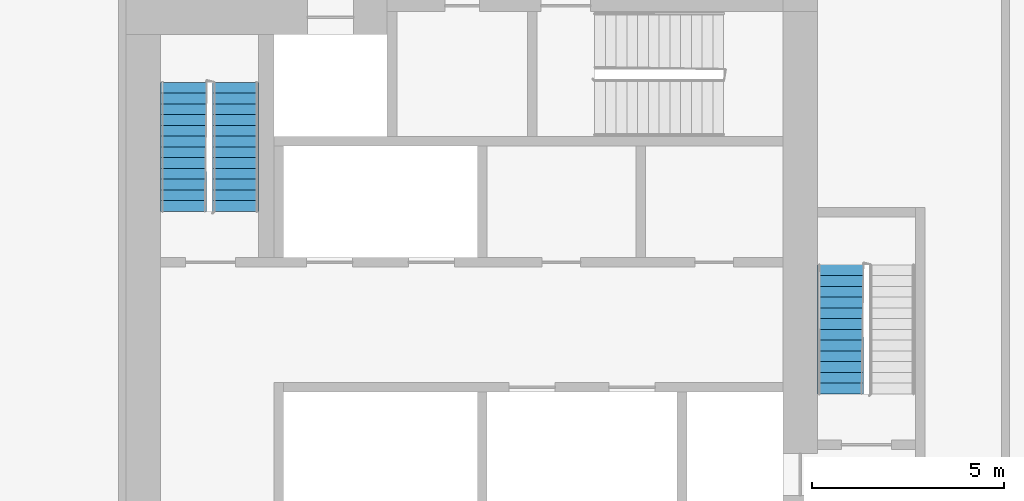
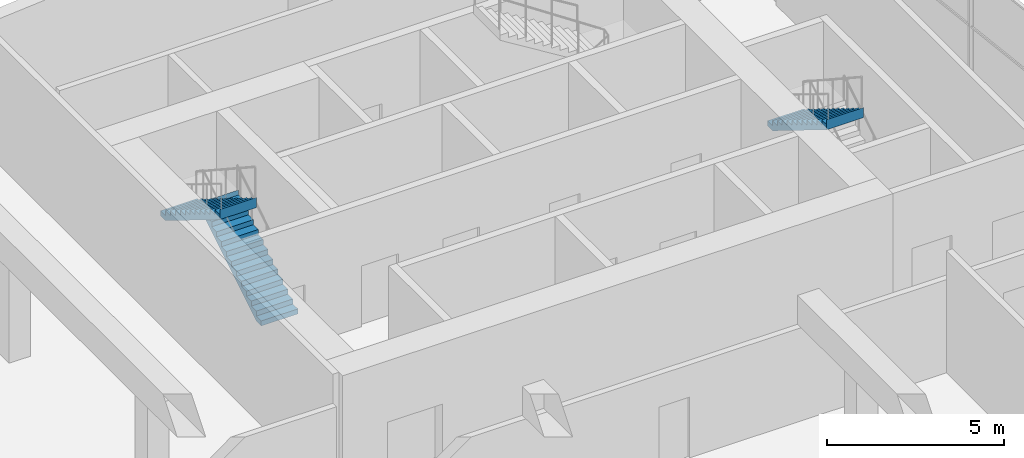
# One storey, part 19 of 21: 3 stair flights, 2 elements without a shape of their own.
"""IFC4 building model written with IfcOpenShell, lengths in metres."""

from ifc_helpers import new_model, si_unit, direction, frame, origin, place, context, subcontext, project, spatial, faceted_brep, material, type_object, element, aggregate, save


model = new_model("IFC4")

# Units and contexts
model_context = context("Model", 3, precision=1e-05, world=origin(), true_north=direction((0.0, 1.0)))
body_context = subcontext(model_context, "Body", "Model", "MODEL_VIEW")
ifc_project = project(units=[si_unit("LENGTHUNIT", "METRE"), si_unit("AREAUNIT", "SQUARE_METRE"), si_unit("VOLUMEUNIT", "CUBIC_METRE"), si_unit("PLANEANGLEUNIT", "RADIAN"), si_unit("MASSUNIT", "GRAM", prefix="KILO")], contexts=[model_context])

# Site, building, storey
site_placement = place(None, origin())
site = spatial("IfcSite", under=ifc_project, at=site_placement, CompositionType="ELEMENT")
building_placement = place(site_placement, origin())
building = spatial("IfcBuilding", under=site, at=building_placement, Name="Kajstack Hotel Tower", CompositionType="ELEMENT")
storey_placement = place(building_placement, frame((0.0, 0.0, 162.39990234375)))
storey = spatial("IfcBuildingStorey", under=building, at=storey_placement, Name="L37", CompositionType="ELEMENT", Elevation=162.39990234375)

# Stair, stair flight
ifc_material = material(Name="Concrete C40/50", Category="concrete")
stair_type = type_object("IfcStairType", Name="Exit stair 1200", PredefinedType="HALF_TURN_STAIR", material=ifc_material)
stair_1_placement = place(storey_placement, origin())
stair_1 = element("IfcStair", 1, at=stair_1_placement, inside=storey, type_object=stair_type, Name="L37 stair E1", PredefinedType="HALF_TURN_STAIR")
stair_flight_type = type_object("IfcStairFlightType", Name="Exit stair flight 1200", PredefinedType="STRAIGHT", material=ifc_material)
stair_flight_1_placement = place(storey_placement, frame((32.10009765625, 8.610107421875, 2.25), z_axis=(0.0, 0.0, 1.0), x_axis=(0.0, -1.0, 0.0)))
stair_flight_1 = element("IfcStairFlight", 2, at=stair_flight_1_placement, type_object=stair_flight_type, Name="E1 flight 2", NumberOfRisers=13, NumberOfTreads=12, PredefinedType="STRAIGHT", RiserHeight=0.173076923, TreadLength=0.28, context=body_context, shape_type="Brep", body=[
    faceted_brep([(0.28564453125, -0.60009765625, 0.0), (3.360595703125, -0.60009765625, 1.900634765625), (3.360595703125, -0.60009765625, 2.25), (3.360107421875, -0.60009765625, 2.25), (3.360107421875, -0.60009765625, 2.076904296875), (3.080078125, -0.60009765625, 2.076904296875), (3.080078125, -0.60009765625, 1.90380859375), (2.800048828125, -0.60009765625, 1.90380859375), (2.800048828125, -0.60009765625, 1.730712890625), (2.52001953125, -0.60009765625, 1.730712890625), (2.52001953125, -0.60009765625, 1.5576171875), (2.239990234375, -0.60009765625, 1.5576171875), (2.239990234375, -0.60009765625, 1.384521484375), (1.9599609375, -0.60009765625, 1.384521484375), (1.9599609375, -0.60009765625, 1.21142578125), (1.679931640625, -0.60009765625, 1.21142578125), (1.679931640625, -0.60009765625, 1.03857421875), (1.39990234375, -0.60009765625, 1.03857421875), (1.39990234375, -0.60009765625, 0.865478515625), (1.1201171875, -0.60009765625, 0.865478515625), (1.1201171875, -0.60009765625, 0.6923828125), (0.840087890625, -0.60009765625, 0.6923828125), (0.840087890625, -0.60009765625, 0.519287109375), (0.56005859375, -0.60009765625, 0.519287109375), (0.56005859375, -0.60009765625, 0.34619140625), (0.280029296875, -0.60009765625, 0.34619140625), (0.280029296875, -0.60009765625, 0.173095703125), (-0.00048828125, -0.60009765625, 0.173095703125), (-0.00048828125, -0.60009765625, 0.0), (-0.00048828125, 0.60009765625, 0.0), (-0.00048828125, 0.60009765625, 0.173095703125), (0.280029296875, 0.60009765625, 0.173095703125), (0.280029296875, 0.60009765625, 0.34619140625), (0.56005859375, 0.60009765625, 0.34619140625), (0.56005859375, 0.60009765625, 0.519287109375), (0.840087890625, 0.60009765625, 0.519287109375), (0.840087890625, 0.60009765625, 0.6923828125), (1.1201171875, 0.60009765625, 0.6923828125), (1.1201171875, 0.60009765625, 0.865478515625), (1.39990234375, 0.60009765625, 0.865478515625), (1.39990234375, 0.60009765625, 1.03857421875), (1.679931640625, 0.60009765625, 1.03857421875), (1.679931640625, 0.60009765625, 1.21142578125), (1.9599609375, 0.60009765625, 1.21142578125), (1.9599609375, 0.60009765625, 1.384521484375), (2.239990234375, 0.60009765625, 1.384521484375), (2.239990234375, 0.60009765625, 1.5576171875), (2.52001953125, 0.60009765625, 1.5576171875), (2.52001953125, 0.60009765625, 1.730712890625), (2.800048828125, 0.60009765625, 1.730712890625), (2.800048828125, 0.60009765625, 1.90380859375), (3.080078125, 0.60009765625, 1.90380859375), (3.080078125, 0.60009765625, 2.076904296875), (3.360107421875, 0.60009765625, 2.076904296875), (3.360107421875, 0.60009765625, 2.25), (3.360595703125, 0.60009765625, 2.25), (3.360595703125, 0.60009765625, 1.900634765625), (0.28564453125, 0.60009765625, 0.0), (-0.00048828125, -0.300048828125, 0.173095703125), (-0.00048828125, 0.0, 0.173095703125), (-0.00048828125, 0.300048828125, 0.173095703125), (-0.00048828125, 0.300048828125, 0.0), (-0.00048828125, 0.0, 0.0), (-0.00048828125, -0.300048828125, 0.0), (0.280029296875, -0.300048828125, 0.173095703125), (0.280029296875, 0.0, 0.173095703125), (0.280029296875, 0.300048828125, 0.173095703125), (0.280029296875, -0.300048828125, 0.34619140625), (0.280029296875, 0.0, 0.34619140625), (0.280029296875, 0.300048828125, 0.34619140625), (0.56005859375, -0.300048828125, 0.34619140625), (0.56005859375, 0.0, 0.34619140625), (0.56005859375, 0.300048828125, 0.34619140625), (0.56005859375, -0.300048828125, 0.519287109375), (0.56005859375, 0.0, 0.519287109375), (0.56005859375, 0.300048828125, 0.519287109375), (0.840087890625, -0.300048828125, 0.519287109375), (0.840087890625, 0.0, 0.519287109375), (0.840087890625, 0.300048828125, 0.519287109375), (0.840087890625, -0.300048828125, 0.6923828125), (0.840087890625, 0.0, 0.6923828125), (0.840087890625, 0.300048828125, 0.6923828125), (1.1201171875, -0.300048828125, 0.6923828125), (1.1201171875, 0.0, 0.6923828125), (1.1201171875, 0.300048828125, 0.6923828125), (1.1201171875, -0.300048828125, 0.865478515625), (1.1201171875, 0.0, 0.865478515625), (1.1201171875, 0.300048828125, 0.865478515625), (1.39990234375, -0.300048828125, 0.865478515625), (1.39990234375, 0.0, 0.865478515625), (1.39990234375, 0.300048828125, 0.865478515625), (1.39990234375, -0.300048828125, 1.03857421875), (1.39990234375, 0.0, 1.03857421875), (1.39990234375, 0.300048828125, 1.03857421875), (1.679931640625, -0.300048828125, 1.03857421875), (1.679931640625, 0.0, 1.03857421875), (1.679931640625, 0.300048828125, 1.03857421875), (1.679931640625, -0.300048828125, 1.21142578125), (1.679931640625, 0.0, 1.21142578125), (1.679931640625, 0.300048828125, 1.21142578125), (1.9599609375, -0.300048828125, 1.21142578125), (1.9599609375, 0.0, 1.21142578125), (1.9599609375, 0.300048828125, 1.21142578125), (1.9599609375, -0.300048828125, 1.384521484375), (1.9599609375, 0.0, 1.384521484375), (1.9599609375, 0.300048828125, 1.384521484375), (2.239990234375, -0.300048828125, 1.384521484375), (2.239990234375, 0.0, 1.384521484375), (2.239990234375, 0.300048828125, 1.384521484375), (2.239990234375, -0.300048828125, 1.5576171875), (2.239990234375, 0.0, 1.5576171875), (2.239990234375, 0.300048828125, 1.5576171875), (2.52001953125, -0.300048828125, 1.5576171875), (2.52001953125, 0.0, 1.5576171875), (2.52001953125, 0.300048828125, 1.5576171875), (2.52001953125, -0.300048828125, 1.730712890625), (2.52001953125, 0.0, 1.730712890625), (2.52001953125, 0.300048828125, 1.730712890625), (2.800048828125, -0.300048828125, 1.730712890625), (2.800048828125, 0.0, 1.730712890625), (2.800048828125, 0.300048828125, 1.730712890625), (2.800048828125, -0.300048828125, 1.90380859375), (2.800048828125, 0.0, 1.90380859375), (2.800048828125, 0.300048828125, 1.90380859375), (3.080078125, -0.300048828125, 1.90380859375), (3.080078125, 0.0, 1.90380859375), (3.080078125, 0.300048828125, 1.90380859375), (3.080078125, -0.300048828125, 2.076904296875), (3.080078125, 0.0, 2.076904296875), (3.080078125, 0.300048828125, 2.076904296875), (3.360107421875, -0.300048828125, 2.076904296875), (3.360107421875, 0.0, 2.076904296875), (3.360107421875, 0.300048828125, 2.076904296875), (3.360107421875, -0.300048828125, 2.25), (3.360107421875, 0.0, 2.25), (3.360107421875, 0.300048828125, 2.25), (3.360595703125, -0.300048828125, 2.25), (3.360595703125, 0.0, 2.25), (3.360595703125, 0.300048828125, 2.25), (3.360595703125, -0.300048828125, 1.900634765625), (3.360595703125, 0.0, 1.900634765625), (3.360595703125, 0.300048828125, 1.900634765625), (0.28564453125, -0.300048828125, 0.0), (0.28564453125, 0.0, 0.0), (0.28564453125, 0.300048828125, 0.0)], [[[0, 1, 2, 3, 4, 5, 6, 7, 8, 9, 10, 11, 12, 13, 14, 15, 16, 17, 18, 19, 20, 21, 22, 23, 24, 25, 26, 27, 28]], [[29, 30, 31, 32, 33, 34, 35, 36, 37, 38, 39, 40, 41, 42, 43, 44, 45, 46, 47, 48, 49, 50, 51, 52, 53, 54, 55, 56, 57]], [[27, 58, 59, 60, 30, 29, 61, 62, 63, 28]], [[26, 64, 65, 66, 31, 30, 60, 59, 58, 27]], [[25, 67, 68, 69, 32, 31, 66, 65, 64, 26]], [[24, 70, 71, 72, 33, 32, 69, 68, 67, 25]], [[23, 73, 74, 75, 34, 33, 72, 71, 70, 24]], [[22, 76, 77, 78, 35, 34, 75, 74, 73, 23]], [[21, 79, 80, 81, 36, 35, 78, 77, 76, 22]], [[20, 82, 83, 84, 37, 36, 81, 80, 79, 21]], [[19, 85, 86, 87, 38, 37, 84, 83, 82, 20]], [[18, 88, 89, 90, 39, 38, 87, 86, 85, 19]], [[17, 91, 92, 93, 40, 39, 90, 89, 88, 18]], [[16, 94, 95, 96, 41, 40, 93, 92, 91, 17]], [[15, 97, 98, 99, 42, 41, 96, 95, 94, 16]], [[14, 100, 101, 102, 43, 42, 99, 98, 97, 15]], [[13, 103, 104, 105, 44, 43, 102, 101, 100, 14]], [[12, 106, 107, 108, 45, 44, 105, 104, 103, 13]], [[11, 109, 110, 111, 46, 45, 108, 107, 106, 12]], [[10, 112, 113, 114, 47, 46, 111, 110, 109, 11]], [[9, 115, 116, 117, 48, 47, 114, 113, 112, 10]], [[8, 118, 119, 120, 49, 48, 117, 116, 115, 9]], [[7, 121, 122, 123, 50, 49, 120, 119, 118, 8]], [[6, 124, 125, 126, 51, 50, 123, 122, 121, 7]], [[5, 127, 128, 129, 52, 51, 126, 125, 124, 6]], [[4, 130, 131, 132, 53, 52, 129, 128, 127, 5]], [[3, 133, 134, 135, 54, 53, 132, 131, 130, 4]], [[2, 136, 137, 138, 55, 54, 135, 134, 133, 3]], [[1, 139, 140, 141, 56, 55, 138, 137, 136, 2]], [[0, 142, 143, 144, 57, 56, 141, 140, 139, 1]], [[28, 63, 62, 61, 29, 57, 144, 143, 142, 0]]]),
])
aggregate(stair_1, [stair_flight_1])

# Stair, stair flights
stair_2_placement = place(storey_placement, origin())
stair_2 = element("IfcStair", 3, at=stair_2_placement, inside=storey, type_object=stair_type, Name="L37 stair E2", PredefinedType="HALF_TURN_STAIR")
stair_flight_2_placement = place(storey_placement, frame((16.35009765625, 10.0, 0.0), z_axis=(0.0, 0.0, 1.0), x_axis=(0.0, 1.0, 0.0)))
stair_flight_2 = element("IfcStairFlight", 4, at=stair_flight_2_placement, type_object=stair_flight_type, Name="E2 flight 1", NumberOfRisers=13, NumberOfTreads=12, PredefinedType="STRAIGHT", RiserHeight=0.173076923, TreadLength=0.28, context=body_context, shape_type="Brep", body=[
    faceted_brep([(0.28564453125, -0.60009765625, 0.0), (3.360595703125, -0.60009765625, 1.900634765625), (3.360595703125, -0.60009765625, 2.25), (3.360107421875, -0.60009765625, 2.25), (3.360107421875, -0.60009765625, 2.076904296875), (3.080078125, -0.60009765625, 2.076904296875), (3.080078125, -0.60009765625, 1.90380859375), (2.800048828125, -0.60009765625, 1.90380859375), (2.800048828125, -0.60009765625, 1.730712890625), (2.52001953125, -0.60009765625, 1.730712890625), (2.52001953125, -0.60009765625, 1.5576171875), (2.239990234375, -0.60009765625, 1.5576171875), (2.239990234375, -0.60009765625, 1.384521484375), (1.9599609375, -0.60009765625, 1.384521484375), (1.9599609375, -0.60009765625, 1.21142578125), (1.679931640625, -0.60009765625, 1.21142578125), (1.679931640625, -0.60009765625, 1.03857421875), (1.39990234375, -0.60009765625, 1.03857421875), (1.39990234375, -0.60009765625, 0.865478515625), (1.1201171875, -0.60009765625, 0.865478515625), (1.1201171875, -0.60009765625, 0.6923828125), (0.840087890625, -0.60009765625, 0.6923828125), (0.840087890625, -0.60009765625, 0.519287109375), (0.56005859375, -0.60009765625, 0.519287109375), (0.56005859375, -0.60009765625, 0.34619140625), (0.280029296875, -0.60009765625, 0.34619140625), (0.280029296875, -0.60009765625, 0.173095703125), (-0.00048828125, -0.60009765625, 0.173095703125), (-0.00048828125, -0.60009765625, 0.0), (-0.00048828125, 0.60009765625, 0.0), (-0.00048828125, 0.60009765625, 0.173095703125), (0.280029296875, 0.60009765625, 0.173095703125), (0.280029296875, 0.60009765625, 0.34619140625), (0.56005859375, 0.60009765625, 0.34619140625), (0.56005859375, 0.60009765625, 0.519287109375), (0.840087890625, 0.60009765625, 0.519287109375), (0.840087890625, 0.60009765625, 0.6923828125), (1.1201171875, 0.60009765625, 0.6923828125), (1.1201171875, 0.60009765625, 0.865478515625), (1.39990234375, 0.60009765625, 0.865478515625), (1.39990234375, 0.60009765625, 1.03857421875), (1.679931640625, 0.60009765625, 1.03857421875), (1.679931640625, 0.60009765625, 1.21142578125), (1.9599609375, 0.60009765625, 1.21142578125), (1.9599609375, 0.60009765625, 1.384521484375), (2.239990234375, 0.60009765625, 1.384521484375), (2.239990234375, 0.60009765625, 1.5576171875), (2.52001953125, 0.60009765625, 1.5576171875), (2.52001953125, 0.60009765625, 1.730712890625), (2.800048828125, 0.60009765625, 1.730712890625), (2.800048828125, 0.60009765625, 1.90380859375), (3.080078125, 0.60009765625, 1.90380859375), (3.080078125, 0.60009765625, 2.076904296875), (3.360107421875, 0.60009765625, 2.076904296875), (3.360107421875, 0.60009765625, 2.25), (3.360595703125, 0.60009765625, 2.25), (3.360595703125, 0.60009765625, 1.900634765625), (0.28564453125, 0.60009765625, 0.0), (-0.00048828125, -0.300048828125, 0.173095703125), (-0.00048828125, 0.0, 0.173095703125), (-0.00048828125, 0.300048828125, 0.173095703125), (-0.00048828125, 0.300048828125, 0.0), (-0.00048828125, 0.0, 0.0), (-0.00048828125, -0.300048828125, 0.0), (0.280029296875, -0.300048828125, 0.173095703125), (0.280029296875, 0.0, 0.173095703125), (0.280029296875, 0.300048828125, 0.173095703125), (0.280029296875, -0.300048828125, 0.34619140625), (0.280029296875, 0.0, 0.34619140625), (0.280029296875, 0.300048828125, 0.34619140625), (0.56005859375, -0.300048828125, 0.34619140625), (0.56005859375, 0.0, 0.34619140625), (0.56005859375, 0.300048828125, 0.34619140625), (0.56005859375, -0.300048828125, 0.519287109375), (0.56005859375, 0.0, 0.519287109375), (0.56005859375, 0.300048828125, 0.519287109375), (0.840087890625, -0.300048828125, 0.519287109375), (0.840087890625, 0.0, 0.519287109375), (0.840087890625, 0.300048828125, 0.519287109375), (0.840087890625, -0.300048828125, 0.6923828125), (0.840087890625, 0.0, 0.6923828125), (0.840087890625, 0.300048828125, 0.6923828125), (1.1201171875, -0.300048828125, 0.6923828125), (1.1201171875, 0.0, 0.6923828125), (1.1201171875, 0.300048828125, 0.6923828125), (1.1201171875, -0.300048828125, 0.865478515625), (1.1201171875, 0.0, 0.865478515625), (1.1201171875, 0.300048828125, 0.865478515625), (1.39990234375, -0.300048828125, 0.865478515625), (1.39990234375, 0.0, 0.865478515625), (1.39990234375, 0.300048828125, 0.865478515625), (1.39990234375, -0.300048828125, 1.03857421875), (1.39990234375, 0.0, 1.03857421875), (1.39990234375, 0.300048828125, 1.03857421875), (1.679931640625, -0.300048828125, 1.03857421875), (1.679931640625, 0.0, 1.03857421875), (1.679931640625, 0.300048828125, 1.03857421875), (1.679931640625, -0.300048828125, 1.21142578125), (1.679931640625, 0.0, 1.21142578125), (1.679931640625, 0.300048828125, 1.21142578125), (1.9599609375, -0.300048828125, 1.21142578125), (1.9599609375, 0.0, 1.21142578125), (1.9599609375, 0.300048828125, 1.21142578125), (1.9599609375, -0.300048828125, 1.384521484375), (1.9599609375, 0.0, 1.384521484375), (1.9599609375, 0.300048828125, 1.384521484375), (2.239990234375, -0.300048828125, 1.384521484375), (2.239990234375, 0.0, 1.384521484375), (2.239990234375, 0.300048828125, 1.384521484375), (2.239990234375, -0.300048828125, 1.5576171875), (2.239990234375, 0.0, 1.5576171875), (2.239990234375, 0.300048828125, 1.5576171875), (2.52001953125, -0.300048828125, 1.5576171875), (2.52001953125, 0.0, 1.5576171875), (2.52001953125, 0.300048828125, 1.5576171875), (2.52001953125, -0.300048828125, 1.730712890625), (2.52001953125, 0.0, 1.730712890625), (2.52001953125, 0.300048828125, 1.730712890625), (2.800048828125, -0.300048828125, 1.730712890625), (2.800048828125, 0.0, 1.730712890625), (2.800048828125, 0.300048828125, 1.730712890625), (2.800048828125, -0.300048828125, 1.90380859375), (2.800048828125, 0.0, 1.90380859375), (2.800048828125, 0.300048828125, 1.90380859375), (3.080078125, -0.300048828125, 1.90380859375), (3.080078125, 0.0, 1.90380859375), (3.080078125, 0.300048828125, 1.90380859375), (3.080078125, -0.300048828125, 2.076904296875), (3.080078125, 0.0, 2.076904296875), (3.080078125, 0.300048828125, 2.076904296875), (3.360107421875, -0.300048828125, 2.076904296875), (3.360107421875, 0.0, 2.076904296875), (3.360107421875, 0.300048828125, 2.076904296875), (3.360107421875, -0.300048828125, 2.25), (3.360107421875, 0.0, 2.25), (3.360107421875, 0.300048828125, 2.25), (3.360595703125, -0.300048828125, 2.25), (3.360595703125, 0.0, 2.25), (3.360595703125, 0.300048828125, 2.25), (3.360595703125, -0.300048828125, 1.900634765625), (3.360595703125, 0.0, 1.900634765625), (3.360595703125, 0.300048828125, 1.900634765625), (0.28564453125, -0.300048828125, 0.0), (0.28564453125, 0.0, 0.0), (0.28564453125, 0.300048828125, 0.0)], [[[0, 1, 2, 3, 4, 5, 6, 7, 8, 9, 10, 11, 12, 13, 14, 15, 16, 17, 18, 19, 20, 21, 22, 23, 24, 25, 26, 27, 28]], [[29, 30, 31, 32, 33, 34, 35, 36, 37, 38, 39, 40, 41, 42, 43, 44, 45, 46, 47, 48, 49, 50, 51, 52, 53, 54, 55, 56, 57]], [[27, 58, 59, 60, 30, 29, 61, 62, 63, 28]], [[26, 64, 65, 66, 31, 30, 60, 59, 58, 27]], [[25, 67, 68, 69, 32, 31, 66, 65, 64, 26]], [[24, 70, 71, 72, 33, 32, 69, 68, 67, 25]], [[23, 73, 74, 75, 34, 33, 72, 71, 70, 24]], [[22, 76, 77, 78, 35, 34, 75, 74, 73, 23]], [[21, 79, 80, 81, 36, 35, 78, 77, 76, 22]], [[20, 82, 83, 84, 37, 36, 81, 80, 79, 21]], [[19, 85, 86, 87, 38, 37, 84, 83, 82, 20]], [[18, 88, 89, 90, 39, 38, 87, 86, 85, 19]], [[17, 91, 92, 93, 40, 39, 90, 89, 88, 18]], [[16, 94, 95, 96, 41, 40, 93, 92, 91, 17]], [[15, 97, 98, 99, 42, 41, 96, 95, 94, 16]], [[14, 100, 101, 102, 43, 42, 99, 98, 97, 15]], [[13, 103, 104, 105, 44, 43, 102, 101, 100, 14]], [[12, 106, 107, 108, 45, 44, 105, 104, 103, 13]], [[11, 109, 110, 111, 46, 45, 108, 107, 106, 12]], [[10, 112, 113, 114, 47, 46, 111, 110, 109, 11]], [[9, 115, 116, 117, 48, 47, 114, 113, 112, 10]], [[8, 118, 119, 120, 49, 48, 117, 116, 115, 9]], [[7, 121, 122, 123, 50, 49, 120, 119, 118, 8]], [[6, 124, 125, 126, 51, 50, 123, 122, 121, 7]], [[5, 127, 128, 129, 52, 51, 126, 125, 124, 6]], [[4, 130, 131, 132, 53, 52, 129, 128, 127, 5]], [[3, 133, 134, 135, 54, 53, 132, 131, 130, 4]], [[2, 136, 137, 138, 55, 54, 135, 134, 133, 3]], [[1, 139, 140, 141, 56, 55, 138, 137, 136, 2]], [[0, 142, 143, 144, 57, 56, 141, 140, 139, 1]], [[28, 63, 62, 61, 29, 57, 144, 143, 142, 0]]]),
])
stair_flight_3_placement = place(storey_placement, frame((15.0, 13.360107421875, 2.25), z_axis=(0.0, 0.0, 1.0), x_axis=(0.0, -1.0, 0.0)))
stair_flight_3 = element("IfcStairFlight", 5, at=stair_flight_3_placement, type_object=stair_flight_type, Name="E2 flight 2", NumberOfRisers=13, NumberOfTreads=12, PredefinedType="STRAIGHT", RiserHeight=0.173076923, TreadLength=0.28, context=body_context, shape_type="Brep", body=[
    faceted_brep([(0.28564453125, -0.60009765625, 0.0), (3.360595703125, -0.60009765625, 1.900634765625), (3.360595703125, -0.60009765625, 2.25), (3.360107421875, -0.60009765625, 2.25), (3.360107421875, -0.60009765625, 2.076904296875), (3.080078125, -0.60009765625, 2.076904296875), (3.080078125, -0.60009765625, 1.90380859375), (2.800048828125, -0.60009765625, 1.90380859375), (2.800048828125, -0.60009765625, 1.730712890625), (2.52001953125, -0.60009765625, 1.730712890625), (2.52001953125, -0.60009765625, 1.5576171875), (2.239990234375, -0.60009765625, 1.5576171875), (2.239990234375, -0.60009765625, 1.384521484375), (1.9599609375, -0.60009765625, 1.384521484375), (1.9599609375, -0.60009765625, 1.21142578125), (1.679931640625, -0.60009765625, 1.21142578125), (1.679931640625, -0.60009765625, 1.03857421875), (1.39990234375, -0.60009765625, 1.03857421875), (1.39990234375, -0.60009765625, 0.865478515625), (1.1201171875, -0.60009765625, 0.865478515625), (1.1201171875, -0.60009765625, 0.6923828125), (0.840087890625, -0.60009765625, 0.6923828125), (0.840087890625, -0.60009765625, 0.519287109375), (0.56005859375, -0.60009765625, 0.519287109375), (0.56005859375, -0.60009765625, 0.34619140625), (0.280029296875, -0.60009765625, 0.34619140625), (0.280029296875, -0.60009765625, 0.173095703125), (-0.00048828125, -0.60009765625, 0.173095703125), (-0.00048828125, -0.60009765625, 0.0), (-0.00048828125, 0.60009765625, 0.0), (-0.00048828125, 0.60009765625, 0.173095703125), (0.280029296875, 0.60009765625, 0.173095703125), (0.280029296875, 0.60009765625, 0.34619140625), (0.56005859375, 0.60009765625, 0.34619140625), (0.56005859375, 0.60009765625, 0.519287109375), (0.840087890625, 0.60009765625, 0.519287109375), (0.840087890625, 0.60009765625, 0.6923828125), (1.1201171875, 0.60009765625, 0.6923828125), (1.1201171875, 0.60009765625, 0.865478515625), (1.39990234375, 0.60009765625, 0.865478515625), (1.39990234375, 0.60009765625, 1.03857421875), (1.679931640625, 0.60009765625, 1.03857421875), (1.679931640625, 0.60009765625, 1.21142578125), (1.9599609375, 0.60009765625, 1.21142578125), (1.9599609375, 0.60009765625, 1.384521484375), (2.239990234375, 0.60009765625, 1.384521484375), (2.239990234375, 0.60009765625, 1.5576171875), (2.52001953125, 0.60009765625, 1.5576171875), (2.52001953125, 0.60009765625, 1.730712890625), (2.800048828125, 0.60009765625, 1.730712890625), (2.800048828125, 0.60009765625, 1.90380859375), (3.080078125, 0.60009765625, 1.90380859375), (3.080078125, 0.60009765625, 2.076904296875), (3.360107421875, 0.60009765625, 2.076904296875), (3.360107421875, 0.60009765625, 2.25), (3.360595703125, 0.60009765625, 2.25), (3.360595703125, 0.60009765625, 1.900634765625), (0.28564453125, 0.60009765625, 0.0), (-0.00048828125, -0.300048828125, 0.173095703125), (-0.00048828125, 0.0, 0.173095703125), (-0.00048828125, 0.300048828125, 0.173095703125), (-0.00048828125, 0.300048828125, 0.0), (-0.00048828125, 0.0, 0.0), (-0.00048828125, -0.300048828125, 0.0), (0.280029296875, -0.300048828125, 0.173095703125), (0.280029296875, 0.0, 0.173095703125), (0.280029296875, 0.300048828125, 0.173095703125), (0.280029296875, -0.300048828125, 0.34619140625), (0.280029296875, 0.0, 0.34619140625), (0.280029296875, 0.300048828125, 0.34619140625), (0.56005859375, -0.300048828125, 0.34619140625), (0.56005859375, 0.0, 0.34619140625), (0.56005859375, 0.300048828125, 0.34619140625), (0.56005859375, -0.300048828125, 0.519287109375), (0.56005859375, 0.0, 0.519287109375), (0.56005859375, 0.300048828125, 0.519287109375), (0.840087890625, -0.300048828125, 0.519287109375), (0.840087890625, 0.0, 0.519287109375), (0.840087890625, 0.300048828125, 0.519287109375), (0.840087890625, -0.300048828125, 0.6923828125), (0.840087890625, 0.0, 0.6923828125), (0.840087890625, 0.300048828125, 0.6923828125), (1.1201171875, -0.300048828125, 0.6923828125), (1.1201171875, 0.0, 0.6923828125), (1.1201171875, 0.300048828125, 0.6923828125), (1.1201171875, -0.300048828125, 0.865478515625), (1.1201171875, 0.0, 0.865478515625), (1.1201171875, 0.300048828125, 0.865478515625), (1.39990234375, -0.300048828125, 0.865478515625), (1.39990234375, 0.0, 0.865478515625), (1.39990234375, 0.300048828125, 0.865478515625), (1.39990234375, -0.300048828125, 1.03857421875), (1.39990234375, 0.0, 1.03857421875), (1.39990234375, 0.300048828125, 1.03857421875), (1.679931640625, -0.300048828125, 1.03857421875), (1.679931640625, 0.0, 1.03857421875), (1.679931640625, 0.300048828125, 1.03857421875), (1.679931640625, -0.300048828125, 1.21142578125), (1.679931640625, 0.0, 1.21142578125), (1.679931640625, 0.300048828125, 1.21142578125), (1.9599609375, -0.300048828125, 1.21142578125), (1.9599609375, 0.0, 1.21142578125), (1.9599609375, 0.300048828125, 1.21142578125), (1.9599609375, -0.300048828125, 1.384521484375), (1.9599609375, 0.0, 1.384521484375), (1.9599609375, 0.300048828125, 1.384521484375), (2.239990234375, -0.300048828125, 1.384521484375), (2.239990234375, 0.0, 1.384521484375), (2.239990234375, 0.300048828125, 1.384521484375), (2.239990234375, -0.300048828125, 1.5576171875), (2.239990234375, 0.0, 1.5576171875), (2.239990234375, 0.300048828125, 1.5576171875), (2.52001953125, -0.300048828125, 1.5576171875), (2.52001953125, 0.0, 1.5576171875), (2.52001953125, 0.300048828125, 1.5576171875), (2.52001953125, -0.300048828125, 1.730712890625), (2.52001953125, 0.0, 1.730712890625), (2.52001953125, 0.300048828125, 1.730712890625), (2.800048828125, -0.300048828125, 1.730712890625), (2.800048828125, 0.0, 1.730712890625), (2.800048828125, 0.300048828125, 1.730712890625), (2.800048828125, -0.300048828125, 1.90380859375), (2.800048828125, 0.0, 1.90380859375), (2.800048828125, 0.300048828125, 1.90380859375), (3.080078125, -0.300048828125, 1.90380859375), (3.080078125, 0.0, 1.90380859375), (3.080078125, 0.300048828125, 1.90380859375), (3.080078125, -0.300048828125, 2.076904296875), (3.080078125, 0.0, 2.076904296875), (3.080078125, 0.300048828125, 2.076904296875), (3.360107421875, -0.300048828125, 2.076904296875), (3.360107421875, 0.0, 2.076904296875), (3.360107421875, 0.300048828125, 2.076904296875), (3.360107421875, -0.300048828125, 2.25), (3.360107421875, 0.0, 2.25), (3.360107421875, 0.300048828125, 2.25), (3.360595703125, -0.300048828125, 2.25), (3.360595703125, 0.0, 2.25), (3.360595703125, 0.300048828125, 2.25), (3.360595703125, -0.300048828125, 1.900634765625), (3.360595703125, 0.0, 1.900634765625), (3.360595703125, 0.300048828125, 1.900634765625), (0.28564453125, -0.300048828125, 0.0), (0.28564453125, 0.0, 0.0), (0.28564453125, 0.300048828125, 0.0)], [[[0, 1, 2, 3, 4, 5, 6, 7, 8, 9, 10, 11, 12, 13, 14, 15, 16, 17, 18, 19, 20, 21, 22, 23, 24, 25, 26, 27, 28]], [[29, 30, 31, 32, 33, 34, 35, 36, 37, 38, 39, 40, 41, 42, 43, 44, 45, 46, 47, 48, 49, 50, 51, 52, 53, 54, 55, 56, 57]], [[27, 58, 59, 60, 30, 29, 61, 62, 63, 28]], [[26, 64, 65, 66, 31, 30, 60, 59, 58, 27]], [[25, 67, 68, 69, 32, 31, 66, 65, 64, 26]], [[24, 70, 71, 72, 33, 32, 69, 68, 67, 25]], [[23, 73, 74, 75, 34, 33, 72, 71, 70, 24]], [[22, 76, 77, 78, 35, 34, 75, 74, 73, 23]], [[21, 79, 80, 81, 36, 35, 78, 77, 76, 22]], [[20, 82, 83, 84, 37, 36, 81, 80, 79, 21]], [[19, 85, 86, 87, 38, 37, 84, 83, 82, 20]], [[18, 88, 89, 90, 39, 38, 87, 86, 85, 19]], [[17, 91, 92, 93, 40, 39, 90, 89, 88, 18]], [[16, 94, 95, 96, 41, 40, 93, 92, 91, 17]], [[15, 97, 98, 99, 42, 41, 96, 95, 94, 16]], [[14, 100, 101, 102, 43, 42, 99, 98, 97, 15]], [[13, 103, 104, 105, 44, 43, 102, 101, 100, 14]], [[12, 106, 107, 108, 45, 44, 105, 104, 103, 13]], [[11, 109, 110, 111, 46, 45, 108, 107, 106, 12]], [[10, 112, 113, 114, 47, 46, 111, 110, 109, 11]], [[9, 115, 116, 117, 48, 47, 114, 113, 112, 10]], [[8, 118, 119, 120, 49, 48, 117, 116, 115, 9]], [[7, 121, 122, 123, 50, 49, 120, 119, 118, 8]], [[6, 124, 125, 126, 51, 50, 123, 122, 121, 7]], [[5, 127, 128, 129, 52, 51, 126, 125, 124, 6]], [[4, 130, 131, 132, 53, 52, 129, 128, 127, 5]], [[3, 133, 134, 135, 54, 53, 132, 131, 130, 4]], [[2, 136, 137, 138, 55, 54, 135, 134, 133, 3]], [[1, 139, 140, 141, 56, 55, 138, 137, 136, 2]], [[0, 142, 143, 144, 57, 56, 141, 140, 139, 1]], [[28, 63, 62, 61, 29, 57, 144, 143, 142, 0]]]),
])
aggregate(stair_2, [stair_flight_2, stair_flight_3])

save(model, "model.ifc")
